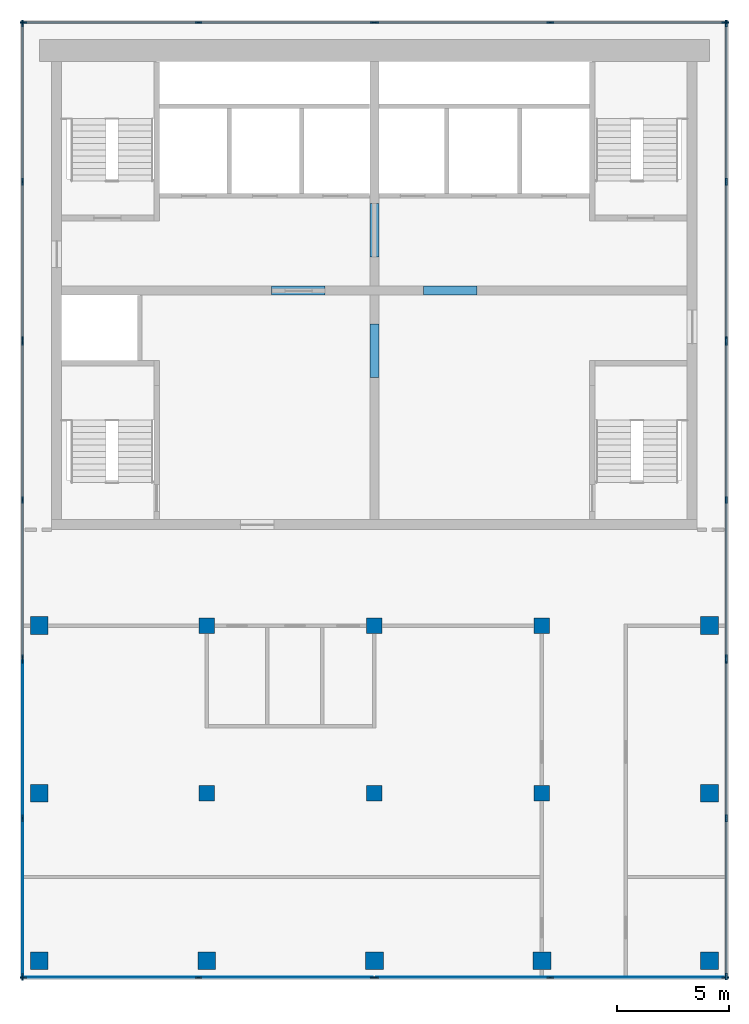
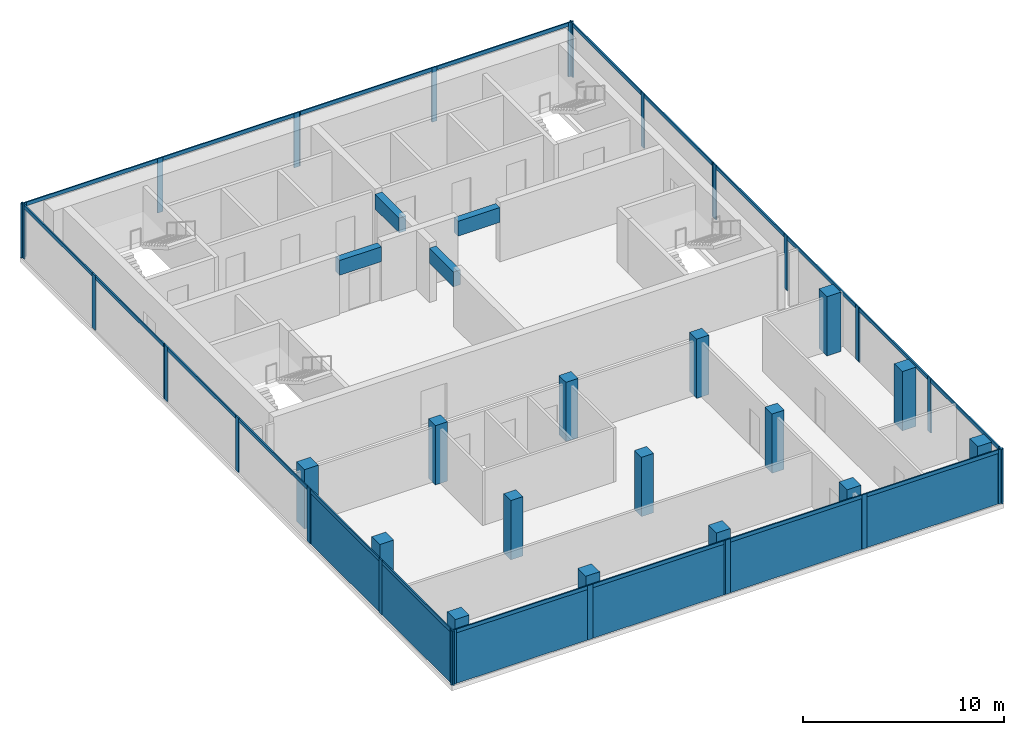
# One storey, part 1 of 5: 50 members, 15 columns, 6 plates, 4 beams, 10 elements without a shape of their own.
"""IFC4 building model written with IfcOpenShell, lengths in metres."""

from ifc_helpers import new_model, si_unit, direction, frame, origin, origin_2d, place, context, subcontext, project, spatial, rectangle, extrude, material, layer, layer_set, material_profile, profile_set, type_object, element, aggregate, save


model = new_model("IFC4")

# Units and contexts
model_context = context("Model", 3, precision=1e-05, world=origin(), true_north=direction((0.0, 1.0)))
body_context = subcontext(model_context, "Body", "Model", "MODEL_VIEW")
ifc_project = project(units=[si_unit("LENGTHUNIT", "METRE"), si_unit("AREAUNIT", "SQUARE_METRE"), si_unit("VOLUMEUNIT", "CUBIC_METRE"), si_unit("PLANEANGLEUNIT", "RADIAN"), si_unit("MASSUNIT", "GRAM", prefix="KILO")], contexts=[model_context])

# Site, building, storey
site_placement = place(None, origin())
site = spatial("IfcSite", under=ifc_project, at=site_placement, CompositionType="ELEMENT")
building_placement = place(site_placement, origin())
building = spatial("IfcBuilding", under=site, at=building_placement, Name="Pilkhan Gate Tower", CompositionType="ELEMENT")
storey_placement = place(building_placement, frame((0.0, 0.0, 276.5)))
storey = spatial("IfcBuildingStorey", under=building, at=storey_placement, Name="L72", CompositionType="ELEMENT", Elevation=276.5)

# Columns
ifc_material_1 = material(Name="Concrete C40/50", Category="concrete")
ifc_material_profile_1 = material_profile(ifc_material_1, rectangle(XDim=0.699951171875, YDim=0.699951171875, at=origin_2d()), Name="RC 700x700")
ifc_profile_set_1 = profile_set([ifc_material_profile_1], Name="Concrete C40/50")
column_type_1 = type_object("IfcColumnType", Name="Column C70 RC 700x700 C40/50", PredefinedType="COLUMN", material=ifc_profile_set_1)
for number, where, z_axis, x_axis, name in (
    (1, (67.5, 60.0, 0.0), (0.0, 0.0, 1.0), (1.0, 0.0, 0.0), "Column 9/F L72"),
    (2, (67.5, 67.5, 0.0), (0.0, 0.0, 1.0), (1.0, 0.0, 0.0), "Column 9/H L72"),
    (3, (75.0, 60.0, 0.0), (0.0, 0.0, 1.0), (1.0, 0.0, 0.0), "Column 11/F L72"),
    (4, (75.0, 67.5, 0.0), (0.0, 0.0, 1.0), (1.0, 0.0, 0.0), "Column 11/H L72"),
    (5, (82.5, 60.0, 0.0), (0.0, 0.0, 1.0), (1.0, 0.0, 0.0), "Column 13/F L72"),
    (6, (82.5, 67.5, 0.0), (0.0, 0.0, 1.0), (1.0, 0.0, 0.0), "Column 13/H L72"),
):
    element("IfcColumn", number, at=place(storey_placement, frame(where, z_axis=z_axis, x_axis=x_axis)), inside=storey, type_object=column_type_1, Name=name, PredefinedType="COLUMN", context=body_context, shape_type="SweptSolid", body=[
        extrude(rectangle(XDim=0.699951171875, YDim=0.699951171875, at=origin_2d()), origin(), (0.0, 0.0, 1.0), 3.60009765625),
    ])
ifc_material_profile_2 = material_profile(ifc_material_1, rectangle(XDim=0.800048828125, YDim=0.800048828125, at=origin_2d()), Name="RC 800x800")
ifc_profile_set_2 = profile_set([ifc_material_profile_2], Name="Concrete C40/50")
column_type_2 = type_object("IfcColumnType", Name="Column C80 RC 800x800 C40/50", PredefinedType="COLUMN", material=ifc_profile_set_2)
for number, where, z_axis, x_axis, name in (
    (7, (60.0, 52.5, 0.0), (0.0, 0.0, 1.0), (1.0, 0.0, 0.0), "Column 7/D L72"),
    (8, (60.0, 60.0, 0.0), (0.0, 0.0, 1.0), (1.0, 0.0, 0.0), "Column 7/F L72"),
    (9, (60.0, 67.5, 0.0), (0.0, 0.0, 1.0), (1.0, 0.0, 0.0), "Column 7/H L72"),
    (10, (67.5, 52.5, 0.0), (0.0, 0.0, 1.0), (1.0, 0.0, 0.0), "Column 9/D L72"),
    (11, (75.0, 52.5, 0.0), (0.0, 0.0, 1.0), (1.0, 0.0, 0.0), "Column 11/D L72"),
    (12, (82.5, 52.5, 0.0), (0.0, 0.0, 1.0), (1.0, 0.0, 0.0), "Column 13/D L72"),
    (13, (90.0, 52.5, 0.0), (0.0, 0.0, 1.0), (1.0, 0.0, 0.0), "Column 15/D L72"),
    (14, (90.0, 60.0, 0.0), (0.0, 0.0, 1.0), (1.0, 0.0, 0.0), "Column 15/F L72"),
    (15, (90.0, 67.5, 0.0), (0.0, 0.0, 1.0), (1.0, 0.0, 0.0), "Column 15/H L72"),
):
    element("IfcColumn", number, at=place(storey_placement, frame(where, z_axis=z_axis, x_axis=x_axis)), inside=storey, type_object=column_type_2, Name=name, PredefinedType="COLUMN", context=body_context, shape_type="SweptSolid", body=[
        extrude(rectangle(XDim=0.800048828125, YDim=0.800048828125, at=origin_2d()), origin(), (0.0, 0.0, 1.0), 3.60009765625),
    ])

# Beams
ifc_material_2 = material(Name="Concrete C50/60", Category="concrete")
ifc_material_profile_3 = material_profile(ifc_material_2, rectangle(XDim=0.39990234375, YDim=0.89990234375, at=origin_2d()), Name="RC 400x900")
ifc_profile_set_3 = profile_set([ifc_material_profile_3], Name="Concrete C50/60")
beam_type = type_object("IfcBeamType", Name="Coupling beam CB90-4 RC 400x900 C50/60", PredefinedType="LINTEL", material=ifc_profile_set_3)
for number, where, z_axis, x_axis, name in (
    (16, (70.39990234375, 82.5, 2.85009765625), (1.0, 0.0, 0.0), (0.0, 1.0, 0.0), "Coupling beam 1 L72"),
    (17, (77.199951171875, 82.5, 2.85009765625), (1.0, 0.0, 0.0), (0.0, 1.0, 0.0), "Coupling beam 2 L72"),
):
    element("IfcBeam", number, at=place(storey_placement, frame(where, z_axis=z_axis, x_axis=x_axis)), inside=storey, type_object=beam_type, Name=name, PredefinedType="LINTEL", context=body_context, shape_type="SweptSolid", body=[
        extrude(rectangle(XDim=0.39990234375, YDim=0.89990234375, at=origin_2d()), origin(), (0.0, 0.0, 1.0), 2.400146484375),
    ])
for number, where, z_axis, x_axis, name in (
    (18, (75.0, 78.60009765625, 2.85009765625), (0.0, 1.0, 0.0), (-1.0, 0.0, 0.0), "Coupling beam 3 L72"),
    (19, (75.0, 84.0, 2.85009765625), (0.0, 1.0, 0.0), (-1.0, 0.0, 0.0), "Coupling beam 4 L72"),
):
    element("IfcBeam", number, at=place(storey_placement, frame(where, z_axis=z_axis, x_axis=x_axis)), inside=storey, type_object=beam_type, Name=name, PredefinedType="LINTEL", context=body_context, shape_type="SweptSolid", body=[
        extrude(rectangle(XDim=0.39990234375, YDim=0.89990234375, at=origin_2d()), origin(), (0.0, 0.0, 1.0), 2.39990234375),
    ])

# Curtain wall, members
ifc_material_3 = material(Name="Pale anodised aluminium, clear low-iron double glazing", Category="aluminium")
curtain_wall_type = type_object("IfcCurtainWallType", Name="Crown unitised curtain wall CW-C", PredefinedType="USERDEFINED", material=ifc_material_3)
curtain_wall_1_placement = place(storey_placement, origin())
curtain_wall_1 = element("IfcCurtainWall", 20, at=curtain_wall_1_placement, inside=storey, type_object=curtain_wall_type, Name="Crown unitised curtain wall CW-C L72 E", ObjectType="UNITISED CURTAIN WALL", PredefinedType="USERDEFINED")
ifc_material_4 = material(Name="Pale anodised aluminium", Category="aluminium")
ifc_material_profile_4 = material_profile(ifc_material_4, rectangle(XDim=0.074951171875, YDim=0.300048828125, at=origin_2d()), Name="Mullion 300x75")
ifc_profile_set_4 = profile_set([ifc_material_profile_4], Name="Pale anodised aluminium")
member_type_1 = type_object("IfcMemberType", Name="Mullion CW-C 300x75", PredefinedType="MULLION", material=ifc_profile_set_4)
member_1_placement = place(storey_placement, frame((90.75, 51.78759765625, 0.0), z_axis=(0.0, 0.0, 1.0), x_axis=(-1.0, 0.0, 0.0)))
member_1 = element("IfcMember", 21, at=member_1_placement, type_object=member_type_1, Name="CW-C mullion 1", PredefinedType="MULLION", context=body_context, shape_type="SweptSolid", body=[
    extrude(rectangle(XDim=0.074951171875, YDim=0.300048828125, at=origin_2d()), origin(), (0.0, 0.0, 1.0), 3.300048828125),
])
member_2_placement = place(storey_placement, frame((90.75, 58.875, 0.0), z_axis=(0.0, 0.0, 1.0), x_axis=(-1.0, 0.0, 0.0)))
member_2 = element("IfcMember", 22, at=member_2_placement, type_object=member_type_1, Name="CW-C mullion 2", PredefinedType="MULLION", context=body_context, shape_type="SweptSolid", body=[
    extrude(rectangle(XDim=0.074951171875, YDim=0.300048828125, at=origin_2d()), origin(), (0.0, 0.0, 1.0), 3.300048828125),
])
member_3_placement = place(storey_placement, frame((90.75, 65.96240234375, 0.0), z_axis=(0.0, 0.0, 1.0), x_axis=(-1.0, 0.0, 0.0)))
member_3 = element("IfcMember", 23, at=member_3_placement, type_object=member_type_1, Name="CW-C mullion 3", PredefinedType="MULLION", context=body_context, shape_type="SweptSolid", body=[
    extrude(rectangle(XDim=0.074951171875, YDim=0.300048828125, at=origin_2d()), origin(), (0.0, 0.0, 1.0), 3.300048828125),
])

curtain_wall_2_placement = place(storey_placement, origin())
curtain_wall_2 = element("IfcCurtainWall", 24, at=curtain_wall_2_placement, inside=storey, type_object=curtain_wall_type, Name="Crown unitised curtain wall CW-C L72 E", ObjectType="UNITISED CURTAIN WALL", PredefinedType="USERDEFINED")
member_4_placement = place(storey_placement, frame((90.75, 66.03759765625, 0.0), z_axis=(0.0, 0.0, 1.0), x_axis=(-1.0, 0.0, 0.0)))
member_4 = element("IfcMember", 25, at=member_4_placement, type_object=member_type_1, Name="CW-C mullion 1", PredefinedType="MULLION", context=body_context, shape_type="SweptSolid", body=[
    extrude(rectangle(XDim=0.074951171875, YDim=0.300048828125, at=origin_2d()), origin(), (0.0, 0.0, 1.0), 3.300048828125),
])
member_5_placement = place(storey_placement, frame((90.75, 73.125, 0.0), z_axis=(0.0, 0.0, 1.0), x_axis=(-1.0, 0.0, 0.0)))
member_5 = element("IfcMember", 26, at=member_5_placement, type_object=member_type_1, Name="CW-C mullion 2", PredefinedType="MULLION", context=body_context, shape_type="SweptSolid", body=[
    extrude(rectangle(XDim=0.074951171875, YDim=0.300048828125, at=origin_2d()), origin(), (0.0, 0.0, 1.0), 3.300048828125),
])
member_6_placement = place(storey_placement, frame((90.75, 80.21240234375, 0.0), z_axis=(0.0, 0.0, 1.0), x_axis=(-1.0, 0.0, 0.0)))
member_6 = element("IfcMember", 27, at=member_6_placement, type_object=member_type_1, Name="CW-C mullion 3", PredefinedType="MULLION", context=body_context, shape_type="SweptSolid", body=[
    extrude(rectangle(XDim=0.074951171875, YDim=0.300048828125, at=origin_2d()), origin(), (0.0, 0.0, 1.0), 3.300048828125),
])

curtain_wall_3_placement = place(storey_placement, origin())
curtain_wall_3 = element("IfcCurtainWall", 28, at=curtain_wall_3_placement, inside=storey, type_object=curtain_wall_type, Name="Crown unitised curtain wall CW-C L72 E", ObjectType="UNITISED CURTAIN WALL", PredefinedType="USERDEFINED")
member_7_placement = place(storey_placement, frame((90.75, 80.28759765625, 0.0), z_axis=(0.0, 0.0, 1.0), x_axis=(-1.0, 0.0, 0.0)))
member_7 = element("IfcMember", 29, at=member_7_placement, type_object=member_type_1, Name="CW-C mullion 1", PredefinedType="MULLION", context=body_context, shape_type="SweptSolid", body=[
    extrude(rectangle(XDim=0.074951171875, YDim=0.300048828125, at=origin_2d()), origin(), (0.0, 0.0, 1.0), 3.300048828125),
])
member_8_placement = place(storey_placement, frame((90.75, 87.375, 0.0), z_axis=(0.0, 0.0, 1.0), x_axis=(-1.0, 0.0, 0.0)))
member_8 = element("IfcMember", 30, at=member_8_placement, type_object=member_type_1, Name="CW-C mullion 2", PredefinedType="MULLION", context=body_context, shape_type="SweptSolid", body=[
    extrude(rectangle(XDim=0.074951171875, YDim=0.300048828125, at=origin_2d()), origin(), (0.0, 0.0, 1.0), 3.300048828125),
])
member_9_placement = place(storey_placement, frame((90.75, 94.46240234375, 0.0), z_axis=(0.0, 0.0, 1.0), x_axis=(-1.0, 0.0, 0.0)))
member_9 = element("IfcMember", 31, at=member_9_placement, type_object=member_type_1, Name="CW-C mullion 3", PredefinedType="MULLION", context=body_context, shape_type="SweptSolid", body=[
    extrude(rectangle(XDim=0.074951171875, YDim=0.300048828125, at=origin_2d()), origin(), (0.0, 0.0, 1.0), 3.300048828125),
])

curtain_wall_4_placement = place(storey_placement, origin())
curtain_wall_4 = element("IfcCurtainWall", 32, at=curtain_wall_4_placement, inside=storey, type_object=curtain_wall_type, Name="Crown unitised curtain wall CW-C L72 N", ObjectType="UNITISED CURTAIN WALL", PredefinedType="USERDEFINED")
member_10_placement = place(storey_placement, frame((59.28759765625, 94.5, 0.0), z_axis=(0.0, 0.0, 1.0), x_axis=(0.0, 1.0, 0.0)))
member_10 = element("IfcMember", 33, at=member_10_placement, type_object=member_type_1, Name="CW-C mullion 1", PredefinedType="MULLION", context=body_context, shape_type="SweptSolid", body=[
    extrude(rectangle(XDim=0.074951171875, YDim=0.300048828125, at=origin_2d()), origin(), (0.0, 0.0, 1.0), 3.300048828125),
])
member_11_placement = place(storey_placement, frame((67.125, 94.5, 0.0), z_axis=(0.0, 0.0, 1.0), x_axis=(0.0, 1.0, 0.0)))
member_11 = element("IfcMember", 34, at=member_11_placement, type_object=member_type_1, Name="CW-C mullion 2", PredefinedType="MULLION", context=body_context, shape_type="SweptSolid", body=[
    extrude(rectangle(XDim=0.074951171875, YDim=0.300048828125, at=origin_2d()), origin(), (0.0, 0.0, 1.0), 3.300048828125),
])
member_12_placement = place(storey_placement, frame((74.96240234375, 94.5, 0.0), z_axis=(0.0, 0.0, 1.0), x_axis=(0.0, 1.0, 0.0)))
member_12 = element("IfcMember", 35, at=member_12_placement, type_object=member_type_1, Name="CW-C mullion 3", PredefinedType="MULLION", context=body_context, shape_type="SweptSolid", body=[
    extrude(rectangle(XDim=0.074951171875, YDim=0.300048828125, at=origin_2d()), origin(), (0.0, 0.0, 1.0), 3.300048828125),
])

curtain_wall_5_placement = place(storey_placement, origin())
curtain_wall_5 = element("IfcCurtainWall", 36, at=curtain_wall_5_placement, inside=storey, type_object=curtain_wall_type, Name="Crown unitised curtain wall CW-C L72 N", ObjectType="UNITISED CURTAIN WALL", PredefinedType="USERDEFINED")
member_13_placement = place(storey_placement, frame((75.03759765625, 94.5, 0.0), z_axis=(0.0, 0.0, 1.0), x_axis=(0.0, 1.0, 0.0)))
member_13 = element("IfcMember", 37, at=member_13_placement, type_object=member_type_1, Name="CW-C mullion 1", PredefinedType="MULLION", context=body_context, shape_type="SweptSolid", body=[
    extrude(rectangle(XDim=0.074951171875, YDim=0.300048828125, at=origin_2d()), origin(), (0.0, 0.0, 1.0), 3.300048828125),
])
member_14_placement = place(storey_placement, frame((82.875, 94.5, 0.0), z_axis=(0.0, 0.0, 1.0), x_axis=(0.0, 1.0, 0.0)))
member_14 = element("IfcMember", 38, at=member_14_placement, type_object=member_type_1, Name="CW-C mullion 2", PredefinedType="MULLION", context=body_context, shape_type="SweptSolid", body=[
    extrude(rectangle(XDim=0.074951171875, YDim=0.300048828125, at=origin_2d()), origin(), (0.0, 0.0, 1.0), 3.300048828125),
])
member_15_placement = place(storey_placement, frame((90.71240234375, 94.5, 0.0), z_axis=(0.0, 0.0, 1.0), x_axis=(0.0, 1.0, 0.0)))
member_15 = element("IfcMember", 39, at=member_15_placement, type_object=member_type_1, Name="CW-C mullion 3", PredefinedType="MULLION", context=body_context, shape_type="SweptSolid", body=[
    extrude(rectangle(XDim=0.074951171875, YDim=0.300048828125, at=origin_2d()), origin(), (0.0, 0.0, 1.0), 3.300048828125),
])

curtain_wall_6_placement = place(storey_placement, origin())
curtain_wall_6 = element("IfcCurtainWall", 40, at=curtain_wall_6_placement, inside=storey, type_object=curtain_wall_type, Name="Crown unitised curtain wall CW-C L72 W", ObjectType="UNITISED CURTAIN WALL", PredefinedType="USERDEFINED")
member_16_placement = place(storey_placement, frame((59.25, 51.78759765625, 0.0), z_axis=(0.0, 0.0, 1.0), x_axis=(-1.0, 0.0, 0.0)))
member_16 = element("IfcMember", 41, at=member_16_placement, type_object=member_type_1, Name="CW-C mullion 1", PredefinedType="MULLION", context=body_context, shape_type="SweptSolid", body=[
    extrude(rectangle(XDim=0.074951171875, YDim=0.300048828125, at=origin_2d()), origin(), (0.0, 0.0, 1.0), 3.300048828125),
])
member_17_placement = place(storey_placement, frame((59.25, 58.875, 0.0), z_axis=(0.0, 0.0, 1.0), x_axis=(-1.0, 0.0, 0.0)))
member_17 = element("IfcMember", 42, at=member_17_placement, type_object=member_type_1, Name="CW-C mullion 2", PredefinedType="MULLION", context=body_context, shape_type="SweptSolid", body=[
    extrude(rectangle(XDim=0.074951171875, YDim=0.300048828125, at=origin_2d()), origin(), (0.0, 0.0, 1.0), 3.300048828125),
])
member_18_placement = place(storey_placement, frame((59.25, 65.96240234375, 0.0), z_axis=(0.0, 0.0, 1.0), x_axis=(-1.0, 0.0, 0.0)))
member_18 = element("IfcMember", 43, at=member_18_placement, type_object=member_type_1, Name="CW-C mullion 3", PredefinedType="MULLION", context=body_context, shape_type="SweptSolid", body=[
    extrude(rectangle(XDim=0.074951171875, YDim=0.300048828125, at=origin_2d()), origin(), (0.0, 0.0, 1.0), 3.300048828125),
])

curtain_wall_7_placement = place(storey_placement, origin())
curtain_wall_7 = element("IfcCurtainWall", 44, at=curtain_wall_7_placement, inside=storey, type_object=curtain_wall_type, Name="Crown unitised curtain wall CW-C L72 W", ObjectType="UNITISED CURTAIN WALL", PredefinedType="USERDEFINED")
member_19_placement = place(storey_placement, frame((59.25, 66.03759765625, 0.0), z_axis=(0.0, 0.0, 1.0), x_axis=(-1.0, 0.0, 0.0)))
member_19 = element("IfcMember", 45, at=member_19_placement, type_object=member_type_1, Name="CW-C mullion 1", PredefinedType="MULLION", context=body_context, shape_type="SweptSolid", body=[
    extrude(rectangle(XDim=0.074951171875, YDim=0.300048828125, at=origin_2d()), origin(), (0.0, 0.0, 1.0), 3.300048828125),
])
member_20_placement = place(storey_placement, frame((59.25, 73.125, 0.0), z_axis=(0.0, 0.0, 1.0), x_axis=(-1.0, 0.0, 0.0)))
member_20 = element("IfcMember", 46, at=member_20_placement, type_object=member_type_1, Name="CW-C mullion 2", PredefinedType="MULLION", context=body_context, shape_type="SweptSolid", body=[
    extrude(rectangle(XDim=0.074951171875, YDim=0.300048828125, at=origin_2d()), origin(), (0.0, 0.0, 1.0), 3.300048828125),
])
member_21_placement = place(storey_placement, frame((59.25, 80.21240234375, 0.0), z_axis=(0.0, 0.0, 1.0), x_axis=(-1.0, 0.0, 0.0)))
member_21 = element("IfcMember", 47, at=member_21_placement, type_object=member_type_1, Name="CW-C mullion 3", PredefinedType="MULLION", context=body_context, shape_type="SweptSolid", body=[
    extrude(rectangle(XDim=0.074951171875, YDim=0.300048828125, at=origin_2d()), origin(), (0.0, 0.0, 1.0), 3.300048828125),
])

curtain_wall_8_placement = place(storey_placement, origin())
curtain_wall_8 = element("IfcCurtainWall", 48, at=curtain_wall_8_placement, inside=storey, type_object=curtain_wall_type, Name="Crown unitised curtain wall CW-C L72 W", ObjectType="UNITISED CURTAIN WALL", PredefinedType="USERDEFINED")
member_22_placement = place(storey_placement, frame((59.25, 80.28759765625, 0.0), z_axis=(0.0, 0.0, 1.0), x_axis=(-1.0, 0.0, 0.0)))
member_22 = element("IfcMember", 49, at=member_22_placement, type_object=member_type_1, Name="CW-C mullion 1", PredefinedType="MULLION", context=body_context, shape_type="SweptSolid", body=[
    extrude(rectangle(XDim=0.074951171875, YDim=0.300048828125, at=origin_2d()), origin(), (0.0, 0.0, 1.0), 3.300048828125),
])
member_23_placement = place(storey_placement, frame((59.25, 87.375, 0.0), z_axis=(0.0, 0.0, 1.0), x_axis=(-1.0, 0.0, 0.0)))
member_23 = element("IfcMember", 50, at=member_23_placement, type_object=member_type_1, Name="CW-C mullion 2", PredefinedType="MULLION", context=body_context, shape_type="SweptSolid", body=[
    extrude(rectangle(XDim=0.074951171875, YDim=0.300048828125, at=origin_2d()), origin(), (0.0, 0.0, 1.0), 3.300048828125),
])
member_24_placement = place(storey_placement, frame((59.25, 94.46240234375, 0.0), z_axis=(0.0, 0.0, 1.0), x_axis=(-1.0, 0.0, 0.0)))
member_24 = element("IfcMember", 51, at=member_24_placement, type_object=member_type_1, Name="CW-C mullion 3", PredefinedType="MULLION", context=body_context, shape_type="SweptSolid", body=[
    extrude(rectangle(XDim=0.074951171875, YDim=0.300048828125, at=origin_2d()), origin(), (0.0, 0.0, 1.0), 3.300048828125),
])

curtain_wall_9_placement = place(storey_placement, origin())
curtain_wall_9 = element("IfcCurtainWall", 52, at=curtain_wall_9_placement, inside=storey, type_object=curtain_wall_type, Name="Crown unitised curtain wall CW-C L72 S", ObjectType="UNITISED CURTAIN WALL", PredefinedType="USERDEFINED")
member_25_placement = place(storey_placement, frame((59.28759765625, 51.75, 0.0), z_axis=(0.0, 0.0, 1.0), x_axis=(0.0, 1.0, 0.0)))
member_25 = element("IfcMember", 53, at=member_25_placement, type_object=member_type_1, Name="CW-C mullion 1", PredefinedType="MULLION", context=body_context, shape_type="SweptSolid", body=[
    extrude(rectangle(XDim=0.074951171875, YDim=0.300048828125, at=origin_2d()), origin(), (0.0, 0.0, 1.0), 3.300048828125),
])
member_26_placement = place(storey_placement, frame((67.125, 51.75, 0.0), z_axis=(0.0, 0.0, 1.0), x_axis=(0.0, 1.0, 0.0)))
member_26 = element("IfcMember", 54, at=member_26_placement, type_object=member_type_1, Name="CW-C mullion 2", PredefinedType="MULLION", context=body_context, shape_type="SweptSolid", body=[
    extrude(rectangle(XDim=0.074951171875, YDim=0.300048828125, at=origin_2d()), origin(), (0.0, 0.0, 1.0), 3.300048828125),
])
member_27_placement = place(storey_placement, frame((74.96240234375, 51.75, 0.0), z_axis=(0.0, 0.0, 1.0), x_axis=(0.0, 1.0, 0.0)))
member_27 = element("IfcMember", 55, at=member_27_placement, type_object=member_type_1, Name="CW-C mullion 3", PredefinedType="MULLION", context=body_context, shape_type="SweptSolid", body=[
    extrude(rectangle(XDim=0.074951171875, YDim=0.300048828125, at=origin_2d()), origin(), (0.0, 0.0, 1.0), 3.300048828125),
])

curtain_wall_10_placement = place(storey_placement, origin())
curtain_wall_10 = element("IfcCurtainWall", 56, at=curtain_wall_10_placement, inside=storey, type_object=curtain_wall_type, Name="Crown unitised curtain wall CW-C L72 S", ObjectType="UNITISED CURTAIN WALL", PredefinedType="USERDEFINED")
member_28_placement = place(storey_placement, frame((75.03759765625, 51.75, 0.0), z_axis=(0.0, 0.0, 1.0), x_axis=(0.0, 1.0, 0.0)))
member_28 = element("IfcMember", 57, at=member_28_placement, type_object=member_type_1, Name="CW-C mullion 1", PredefinedType="MULLION", context=body_context, shape_type="SweptSolid", body=[
    extrude(rectangle(XDim=0.074951171875, YDim=0.300048828125, at=origin_2d()), origin(), (0.0, 0.0, 1.0), 3.300048828125),
])
member_29_placement = place(storey_placement, frame((82.875, 51.75, 0.0), z_axis=(0.0, 0.0, 1.0), x_axis=(0.0, 1.0, 0.0)))
member_29 = element("IfcMember", 58, at=member_29_placement, type_object=member_type_1, Name="CW-C mullion 2", PredefinedType="MULLION", context=body_context, shape_type="SweptSolid", body=[
    extrude(rectangle(XDim=0.074951171875, YDim=0.300048828125, at=origin_2d()), origin(), (0.0, 0.0, 1.0), 3.300048828125),
])
member_30_placement = place(storey_placement, frame((90.71240234375, 51.75, 0.0), z_axis=(0.0, 0.0, 1.0), x_axis=(0.0, 1.0, 0.0)))
member_30 = element("IfcMember", 59, at=member_30_placement, type_object=member_type_1, Name="CW-C mullion 3", PredefinedType="MULLION", context=body_context, shape_type="SweptSolid", body=[
    extrude(rectangle(XDim=0.074951171875, YDim=0.300048828125, at=origin_2d()), origin(), (0.0, 0.0, 1.0), 3.300048828125),
])

# Member
ifc_material_profile_5 = material_profile(ifc_material_4, rectangle(XDim=0.074951171875, YDim=0.219970703125, at=origin_2d()), Name="Transom 220x75")
ifc_profile_set_5 = profile_set([ifc_material_profile_5], Name="Pale anodised aluminium")
member_type_2 = type_object("IfcMemberType", Name="Transom CW-C 220x75", PredefinedType="USERDEFINED", material=ifc_profile_set_5)
member_31_placement = place(storey_placement, frame((90.75, 51.824951171875, 3.18994140625), z_axis=(0.0, 1.0, 0.0), x_axis=(-1.0, 0.0, 0.0)))
member_31 = element("IfcMember", 60, at=member_31_placement, type_object=member_type_2, Name="CW-C transom 1", ObjectType="TRANSOM", PredefinedType="USERDEFINED", context=body_context, shape_type="SweptSolid", body=[
    extrude(rectangle(XDim=0.074951171875, YDim=0.219970703125, at=origin_2d()), origin(), (0.0, 0.0, 1.0), 7.012451171875),
])

member_32_placement = place(storey_placement, frame((90.75, 58.91259765625, 3.18994140625), z_axis=(0.0, 1.0, 0.0), x_axis=(-1.0, 0.0, 0.0)))
member_32 = element("IfcMember", 61, at=member_32_placement, type_object=member_type_2, Name="CW-C transom 2", ObjectType="TRANSOM", PredefinedType="USERDEFINED", context=body_context, shape_type="SweptSolid", body=[
    extrude(rectangle(XDim=0.074951171875, YDim=0.219970703125, at=origin_2d()), origin(), (0.0, 0.0, 1.0), 7.012451171875),
])

aggregate(curtain_wall_1, [member_1, member_2, member_3, member_31, member_32])

member_33_placement = place(storey_placement, frame((90.75, 66.074951171875, 3.18994140625), z_axis=(0.0, 1.0, 0.0), x_axis=(-1.0, 0.0, 0.0)))
member_33 = element("IfcMember", 62, at=member_33_placement, type_object=member_type_2, Name="CW-C transom 1", ObjectType="TRANSOM", PredefinedType="USERDEFINED", context=body_context, shape_type="SweptSolid", body=[
    extrude(rectangle(XDim=0.074951171875, YDim=0.219970703125, at=origin_2d()), origin(), (0.0, 0.0, 1.0), 7.012451171875),
])

member_34_placement = place(storey_placement, frame((90.75, 73.16259765625, 3.18994140625), z_axis=(0.0, 1.0, 0.0), x_axis=(-1.0, 0.0, 0.0)))
member_34 = element("IfcMember", 63, at=member_34_placement, type_object=member_type_2, Name="CW-C transom 2", ObjectType="TRANSOM", PredefinedType="USERDEFINED", context=body_context, shape_type="SweptSolid", body=[
    extrude(rectangle(XDim=0.074951171875, YDim=0.219970703125, at=origin_2d()), origin(), (0.0, 0.0, 1.0), 7.012451171875),
])

aggregate(curtain_wall_2, [member_4, member_5, member_6, member_33, member_34])

member_35_placement = place(storey_placement, frame((90.75, 80.324951171875, 3.18994140625), z_axis=(0.0, 1.0, 0.0), x_axis=(-1.0, 0.0, 0.0)))
member_35 = element("IfcMember", 64, at=member_35_placement, type_object=member_type_2, Name="CW-C transom 1", ObjectType="TRANSOM", PredefinedType="USERDEFINED", context=body_context, shape_type="SweptSolid", body=[
    extrude(rectangle(XDim=0.074951171875, YDim=0.219970703125, at=origin_2d()), origin(), (0.0, 0.0, 1.0), 7.012451171875),
])

member_36_placement = place(storey_placement, frame((90.75, 87.41259765625, 3.18994140625), z_axis=(0.0, 1.0, 0.0), x_axis=(-1.0, 0.0, 0.0)))
member_36 = element("IfcMember", 65, at=member_36_placement, type_object=member_type_2, Name="CW-C transom 2", ObjectType="TRANSOM", PredefinedType="USERDEFINED", context=body_context, shape_type="SweptSolid", body=[
    extrude(rectangle(XDim=0.074951171875, YDim=0.219970703125, at=origin_2d()), origin(), (0.0, 0.0, 1.0), 7.012451171875),
])

aggregate(curtain_wall_3, [member_7, member_8, member_9, member_35, member_36])

member_37_placement = place(storey_placement, frame((59.324951171875, 94.5, 3.18994140625), z_axis=(1.0, 0.0, 0.0), x_axis=(0.0, 1.0, 0.0)))
member_37 = element("IfcMember", 66, at=member_37_placement, type_object=member_type_2, Name="CW-C transom 1", ObjectType="TRANSOM", PredefinedType="USERDEFINED", context=body_context, shape_type="SweptSolid", body=[
    extrude(rectangle(XDim=0.074951171875, YDim=0.219970703125, at=origin_2d()), origin(), (0.0, 0.0, 1.0), 7.762451171875),
])

member_38_placement = place(storey_placement, frame((67.16259765625, 94.5, 3.18994140625), z_axis=(1.0, 0.0, 0.0), x_axis=(0.0, 1.0, 0.0)))
member_38 = element("IfcMember", 67, at=member_38_placement, type_object=member_type_2, Name="CW-C transom 2", ObjectType="TRANSOM", PredefinedType="USERDEFINED", context=body_context, shape_type="SweptSolid", body=[
    extrude(rectangle(XDim=0.074951171875, YDim=0.219970703125, at=origin_2d()), origin(), (0.0, 0.0, 1.0), 7.762451171875),
])

aggregate(curtain_wall_4, [member_10, member_11, member_12, member_37, member_38])

member_39_placement = place(storey_placement, frame((75.074951171875, 94.5, 3.18994140625), z_axis=(1.0, 0.0, 0.0), x_axis=(0.0, 1.0, 0.0)))
member_39 = element("IfcMember", 68, at=member_39_placement, type_object=member_type_2, Name="CW-C transom 1", ObjectType="TRANSOM", PredefinedType="USERDEFINED", context=body_context, shape_type="SweptSolid", body=[
    extrude(rectangle(XDim=0.074951171875, YDim=0.219970703125, at=origin_2d()), origin(), (0.0, 0.0, 1.0), 7.762451171875),
])

member_40_placement = place(storey_placement, frame((82.91259765625, 94.5, 3.18994140625), z_axis=(1.0, 0.0, 0.0), x_axis=(0.0, 1.0, 0.0)))
member_40 = element("IfcMember", 69, at=member_40_placement, type_object=member_type_2, Name="CW-C transom 2", ObjectType="TRANSOM", PredefinedType="USERDEFINED", context=body_context, shape_type="SweptSolid", body=[
    extrude(rectangle(XDim=0.074951171875, YDim=0.219970703125, at=origin_2d()), origin(), (0.0, 0.0, 1.0), 7.762451171875),
])

aggregate(curtain_wall_5, [member_13, member_14, member_15, member_39, member_40])

member_41_placement = place(storey_placement, frame((59.25, 51.824951171875, 3.18994140625), z_axis=(0.0, 1.0, 0.0), x_axis=(-1.0, 0.0, 0.0)))
member_41 = element("IfcMember", 70, at=member_41_placement, type_object=member_type_2, Name="CW-C transom 1", ObjectType="TRANSOM", PredefinedType="USERDEFINED", context=body_context, shape_type="SweptSolid", body=[
    extrude(rectangle(XDim=0.074951171875, YDim=0.219970703125, at=origin_2d()), origin(), (0.0, 0.0, 1.0), 7.012451171875),
])

member_42_placement = place(storey_placement, frame((59.25, 58.91259765625, 3.18994140625), z_axis=(0.0, 1.0, 0.0), x_axis=(-1.0, 0.0, 0.0)))
member_42 = element("IfcMember", 71, at=member_42_placement, type_object=member_type_2, Name="CW-C transom 2", ObjectType="TRANSOM", PredefinedType="USERDEFINED", context=body_context, shape_type="SweptSolid", body=[
    extrude(rectangle(XDim=0.074951171875, YDim=0.219970703125, at=origin_2d()), origin(), (0.0, 0.0, 1.0), 7.012451171875),
])

member_43_placement = place(storey_placement, frame((59.25, 66.074951171875, 3.18994140625), z_axis=(0.0, 1.0, 0.0), x_axis=(-1.0, 0.0, 0.0)))
member_43 = element("IfcMember", 72, at=member_43_placement, type_object=member_type_2, Name="CW-C transom 1", ObjectType="TRANSOM", PredefinedType="USERDEFINED", context=body_context, shape_type="SweptSolid", body=[
    extrude(rectangle(XDim=0.074951171875, YDim=0.219970703125, at=origin_2d()), origin(), (0.0, 0.0, 1.0), 7.012451171875),
])

member_44_placement = place(storey_placement, frame((59.25, 73.16259765625, 3.18994140625), z_axis=(0.0, 1.0, 0.0), x_axis=(-1.0, 0.0, 0.0)))
member_44 = element("IfcMember", 73, at=member_44_placement, type_object=member_type_2, Name="CW-C transom 2", ObjectType="TRANSOM", PredefinedType="USERDEFINED", context=body_context, shape_type="SweptSolid", body=[
    extrude(rectangle(XDim=0.074951171875, YDim=0.219970703125, at=origin_2d()), origin(), (0.0, 0.0, 1.0), 7.012451171875),
])

aggregate(curtain_wall_7, [member_19, member_20, member_21, member_43, member_44])

member_45_placement = place(storey_placement, frame((59.25, 80.324951171875, 3.18994140625), z_axis=(0.0, 1.0, 0.0), x_axis=(-1.0, 0.0, 0.0)))
member_45 = element("IfcMember", 74, at=member_45_placement, type_object=member_type_2, Name="CW-C transom 1", ObjectType="TRANSOM", PredefinedType="USERDEFINED", context=body_context, shape_type="SweptSolid", body=[
    extrude(rectangle(XDim=0.074951171875, YDim=0.219970703125, at=origin_2d()), origin(), (0.0, 0.0, 1.0), 7.012451171875),
])

member_46_placement = place(storey_placement, frame((59.25, 87.41259765625, 3.18994140625), z_axis=(0.0, 1.0, 0.0), x_axis=(-1.0, 0.0, 0.0)))
member_46 = element("IfcMember", 75, at=member_46_placement, type_object=member_type_2, Name="CW-C transom 2", ObjectType="TRANSOM", PredefinedType="USERDEFINED", context=body_context, shape_type="SweptSolid", body=[
    extrude(rectangle(XDim=0.074951171875, YDim=0.219970703125, at=origin_2d()), origin(), (0.0, 0.0, 1.0), 7.012451171875),
])

aggregate(curtain_wall_8, [member_22, member_23, member_24, member_45, member_46])

member_47_placement = place(storey_placement, frame((59.324951171875, 51.75, 3.18994140625), z_axis=(1.0, 0.0, 0.0), x_axis=(0.0, 1.0, 0.0)))
member_47 = element("IfcMember", 76, at=member_47_placement, type_object=member_type_2, Name="CW-C transom 1", ObjectType="TRANSOM", PredefinedType="USERDEFINED", context=body_context, shape_type="SweptSolid", body=[
    extrude(rectangle(XDim=0.074951171875, YDim=0.219970703125, at=origin_2d()), origin(), (0.0, 0.0, 1.0), 7.762451171875),
])

member_48_placement = place(storey_placement, frame((67.16259765625, 51.75, 3.18994140625), z_axis=(1.0, 0.0, 0.0), x_axis=(0.0, 1.0, 0.0)))
member_48 = element("IfcMember", 77, at=member_48_placement, type_object=member_type_2, Name="CW-C transom 2", ObjectType="TRANSOM", PredefinedType="USERDEFINED", context=body_context, shape_type="SweptSolid", body=[
    extrude(rectangle(XDim=0.074951171875, YDim=0.219970703125, at=origin_2d()), origin(), (0.0, 0.0, 1.0), 7.762451171875),
])

member_49_placement = place(storey_placement, frame((75.074951171875, 51.75, 3.18994140625), z_axis=(1.0, 0.0, 0.0), x_axis=(0.0, 1.0, 0.0)))
member_49 = element("IfcMember", 78, at=member_49_placement, type_object=member_type_2, Name="CW-C transom 1", ObjectType="TRANSOM", PredefinedType="USERDEFINED", context=body_context, shape_type="SweptSolid", body=[
    extrude(rectangle(XDim=0.074951171875, YDim=0.219970703125, at=origin_2d()), origin(), (0.0, 0.0, 1.0), 7.762451171875),
])

member_50_placement = place(storey_placement, frame((82.91259765625, 51.75, 3.18994140625), z_axis=(1.0, 0.0, 0.0), x_axis=(0.0, 1.0, 0.0)))
member_50 = element("IfcMember", 79, at=member_50_placement, type_object=member_type_2, Name="CW-C transom 2", ObjectType="TRANSOM", PredefinedType="USERDEFINED", context=body_context, shape_type="SweptSolid", body=[
    extrude(rectangle(XDim=0.074951171875, YDim=0.219970703125, at=origin_2d()), origin(), (0.0, 0.0, 1.0), 7.762451171875),
])

# Plate
ifc_material_5 = material(Name="Clear low-iron double glazing", Category="glass")
ifc_layer = layer(ifc_material_5, 0.0439453125)
ifc_layer_set = layer_set([ifc_layer], Name="Glass panel CW-C 44")
plate_type = type_object("IfcPlateType", Name="Glass panel CW-C 44", PredefinedType="CURTAIN_PANEL", material=ifc_layer_set)
plate_1_placement = place(storey_placement, frame((59.25, 55.331298828125, 0.0), z_axis=(0.0, 0.0, 1.0), x_axis=(0.0, 1.0, 0.0)))
plate_1 = element("IfcPlate", 80, at=plate_1_placement, type_object=plate_type, Name="CW-C panel 1", PredefinedType="CURTAIN_PANEL", context=body_context, shape_type="SweptSolid", body=[
    extrude(rectangle(XDim=7.012451171875, YDim=0.0439453125, at=origin_2d()), origin(), (0.0, 0.0, 1.0), 3.080078125),
])

plate_2_placement = place(storey_placement, frame((59.25, 62.418701171875, 0.0), z_axis=(0.0, 0.0, 1.0), x_axis=(0.0, 1.0, 0.0)))
plate_2 = element("IfcPlate", 81, at=plate_2_placement, type_object=plate_type, Name="CW-C panel 2", PredefinedType="CURTAIN_PANEL", context=body_context, shape_type="SweptSolid", body=[
    extrude(rectangle(XDim=7.012451171875, YDim=0.0439453125, at=origin_2d()), origin(), (0.0, 0.0, 1.0), 3.080078125),
])

aggregate(curtain_wall_6, [member_16, member_17, member_18, member_41, plate_1, member_42, plate_2])

plate_3_placement = place(storey_placement, frame((63.206298828125, 51.75, 0.0), z_axis=(0.0, 0.0, 1.0), x_axis=(1.0, 0.0, 0.0)))
plate_3 = element("IfcPlate", 82, at=plate_3_placement, type_object=plate_type, Name="CW-C panel 1", PredefinedType="CURTAIN_PANEL", context=body_context, shape_type="SweptSolid", body=[
    extrude(rectangle(XDim=7.762451171875, YDim=0.0439453125, at=origin_2d()), origin(), (0.0, 0.0, 1.0), 3.080078125),
])

plate_4_placement = place(storey_placement, frame((71.043701171875, 51.75, 0.0), z_axis=(0.0, 0.0, 1.0), x_axis=(1.0, 0.0, 0.0)))
plate_4 = element("IfcPlate", 83, at=plate_4_placement, type_object=plate_type, Name="CW-C panel 2", PredefinedType="CURTAIN_PANEL", context=body_context, shape_type="SweptSolid", body=[
    extrude(rectangle(XDim=7.762451171875, YDim=0.0439453125, at=origin_2d()), origin(), (0.0, 0.0, 1.0), 3.080078125),
])

aggregate(curtain_wall_9, [member_25, member_26, member_27, member_47, plate_3, member_48, plate_4])

plate_5_placement = place(storey_placement, frame((78.956298828125, 51.75, 0.0), z_axis=(0.0, 0.0, 1.0), x_axis=(1.0, 0.0, 0.0)))
plate_5 = element("IfcPlate", 84, at=plate_5_placement, type_object=plate_type, Name="CW-C panel 1", PredefinedType="CURTAIN_PANEL", context=body_context, shape_type="SweptSolid", body=[
    extrude(rectangle(XDim=7.762451171875, YDim=0.0439453125, at=origin_2d()), origin(), (0.0, 0.0, 1.0), 3.080078125),
])

plate_6_placement = place(storey_placement, frame((86.793701171875, 51.75, 0.0), z_axis=(0.0, 0.0, 1.0), x_axis=(1.0, 0.0, 0.0)))
plate_6 = element("IfcPlate", 85, at=plate_6_placement, type_object=plate_type, Name="CW-C panel 2", PredefinedType="CURTAIN_PANEL", context=body_context, shape_type="SweptSolid", body=[
    extrude(rectangle(XDim=7.762451171875, YDim=0.0439453125, at=origin_2d()), origin(), (0.0, 0.0, 1.0), 3.080078125),
])

aggregate(curtain_wall_10, [member_28, member_29, member_30, member_49, plate_5, member_50, plate_6])

save(model, "model.ifc")
